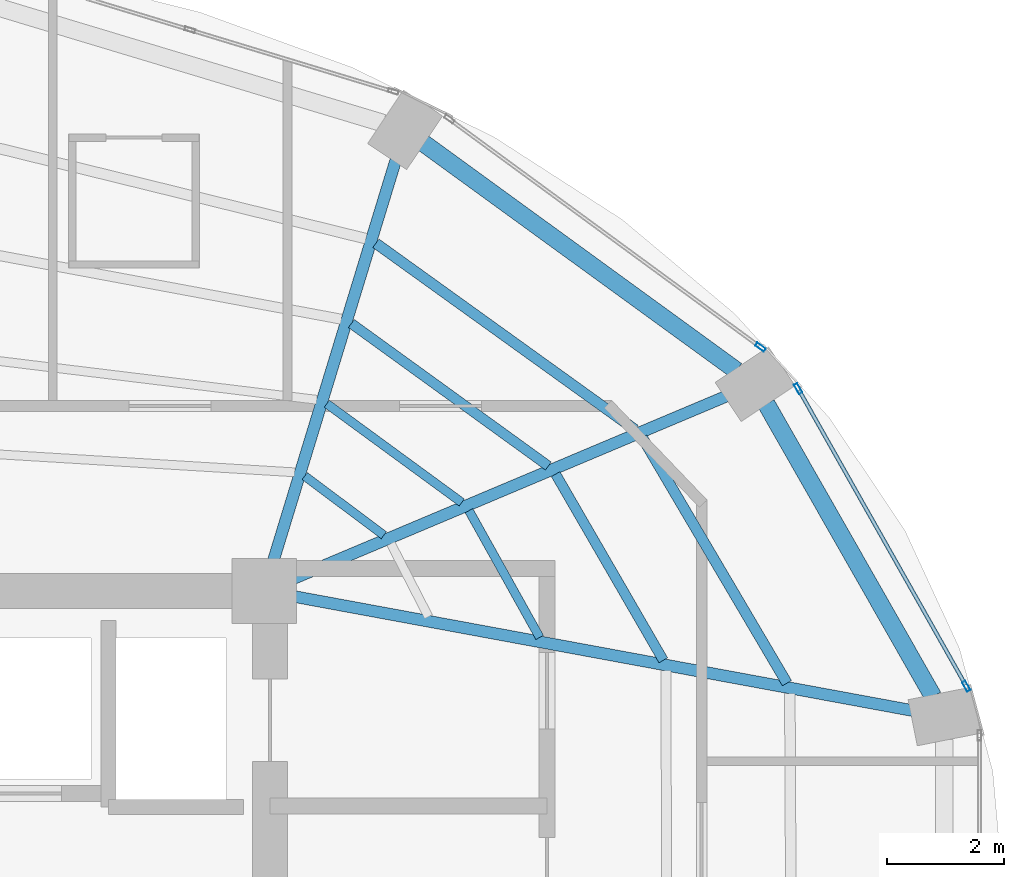
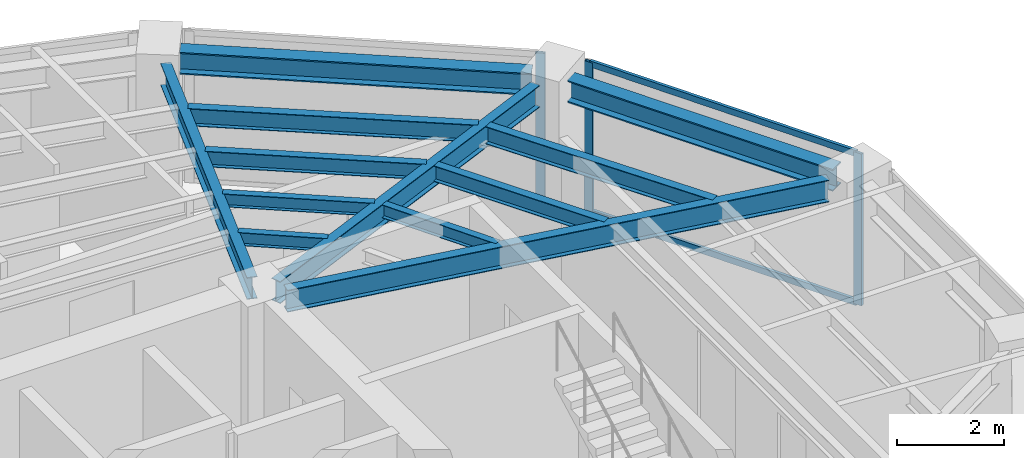
# One storey, part 15 of 23: 12 beams, 5 members, 2 elements without a shape of their own.
"""IFC4 building model written with IfcOpenShell, lengths in metres."""

from ifc_helpers import new_model, si_unit, direction, frame, origin, origin_2d, place, context, subcontext, project, spatial, hollow_rectangle, i_section, extrude, material, layer, layer_set, material_profile, profile_set, type_object, element, aggregate, save


model = new_model("IFC4")

# Units and contexts
model_context = context("Model", 3, precision=1e-05, world=origin(), true_north=direction((0.0, 1.0)))
body_context = subcontext(model_context, "Body", "Model", "MODEL_VIEW")
ifc_project = project(units=[si_unit("LENGTHUNIT", "METRE"), si_unit("AREAUNIT", "SQUARE_METRE"), si_unit("VOLUMEUNIT", "CUBIC_METRE"), si_unit("PLANEANGLEUNIT", "RADIAN"), si_unit("MASSUNIT", "GRAM", prefix="KILO")], contexts=[model_context])

# Site, building, storey
site_placement = place(None, origin())
site = spatial("IfcSite", under=ifc_project, at=site_placement, CompositionType="ELEMENT")
building_placement = place(site_placement, origin())
building = spatial("IfcBuilding", under=site, at=building_placement, Name="Lazwardi Medical Tower", CompositionType="ELEMENT")
storey_placement = place(building_placement, frame((0.0, 0.0, 202.1279296875)))
storey = spatial("IfcBuildingStorey", under=building, at=storey_placement, Name="L52", CompositionType="ELEMENT", Elevation=202.1279296875)

# Beams
ifc_material_1 = material(Name="Steel S355", Category="steel")
ifc_material_profile_1 = material_profile(ifc_material_1, i_section(OverallWidth=0.300048828125, OverallDepth=0.5, WebThickness=0.014404296875, FlangeThickness=0.028076171875, at=origin_2d()), Name="HEB 500")
ifc_profile_set_1 = profile_set([ifc_material_profile_1], Name="Steel S355")
beam_type_1 = type_object("IfcBeamType", Name="BM-RB-Z4", PredefinedType="BEAM", material=ifc_profile_set_1)
beam_1_placement = place(storey_placement, frame((56.991943359375, 33.8017578125, 3.197998046875), z_axis=(-0.495125273299, 0.868821594886, 0.0), x_axis=(-0.868821594886, -0.495125273299, 0.0)))
element("IfcBeam", 1, at=beam_1_placement, inside=storey, type_object=beam_type_1, Name="Ring beam RB-05 B05 L52", PredefinedType="BEAM", context=body_context, shape_type="SweptSolid", body=[
    extrude(i_section(OverallWidth=0.300048828125, OverallDepth=0.5, WebThickness=0.014404296875, FlangeThickness=0.028076171875, at=origin_2d()), origin(), (0.0, 0.0, 1.0), 5.734130859375),
])
beam_2_placement = place(storey_placement, frame((53.644287109375, 39.351806640625, 3.197998046875), z_axis=(-0.808889916254, 0.587960120571, 0.0), x_axis=(-0.587960120571, -0.808889916254, 0.0)))
element("IfcBeam", 2, at=beam_2_placement, inside=storey, type_object=beam_type_1, Name="Ring beam RB-05 B06 L52", PredefinedType="BEAM", context=body_context, shape_type="SweptSolid", body=[
    extrude(i_section(OverallWidth=0.300048828125, OverallDepth=0.5, WebThickness=0.014404296875, FlangeThickness=0.028076171875, at=origin_2d()), origin(), (0.0, 0.0, 1.0), 6.587158203125),
])
ifc_material_profile_2 = material_profile(ifc_material_1, i_section(OverallWidth=0.199951171875, OverallDepth=0.5, WebThickness=0.01025390625, FlangeThickness=0.01611328125, at=origin_2d()), Name="IPE 500")
ifc_profile_set_2 = profile_set([ifc_material_profile_2], Name="Steel S355")
beam_type_2 = type_object("IfcBeamType", Name="BM-RG-W3", PredefinedType="BEAM", material=ifc_profile_set_2)
beam_3_placement = place(storey_placement, frame((56.658935546875, 33.56005859375, 3.197998046875), z_axis=(-0.983409341459, 0.181400295288, 0.0), x_axis=(-0.181400295288, -0.983409341459, 0.0)))
element("IfcBeam", 3, at=beam_3_placement, inside=storey, type_object=beam_type_2, Name="Radial girder RG-04 R05 L52", PredefinedType="BEAM", context=body_context, shape_type="SweptSolid", body=[
    extrude(i_section(OverallWidth=0.199951171875, OverallDepth=0.5, WebThickness=0.01025390625, FlangeThickness=0.01611328125, at=origin_2d()), origin(), (0.0, 0.0, 1.0), 10.71044921875),
])
beam_4_placement = place(storey_placement, frame((53.466796875, 38.914794921875, 3.197998046875), z_axis=(-0.921526791352, -0.388314785735, 0.0), x_axis=(0.388314785735, -0.921526791352, 0.0)))
element("IfcBeam", 4, at=beam_4_placement, inside=storey, type_object=beam_type_2, Name="Radial girder RG-04 R06 L52", PredefinedType="BEAM", context=body_context, shape_type="SweptSolid", body=[
    extrude(i_section(OverallWidth=0.199951171875, OverallDepth=0.5, WebThickness=0.01025390625, FlangeThickness=0.01611328125, at=origin_2d()), origin(), (0.0, 0.0, 1.0), 8.001708984375),
])
beam_5_placement = place(storey_placement, frame((47.843994140625, 42.9423828125, 3.197998046875), z_axis=(-0.292276716539, -0.956333791607, 0.0), x_axis=(0.956333791607, -0.292276716539, 0.0)))
element("IfcBeam", 5, at=beam_5_placement, inside=storey, type_object=beam_type_2, Name="Radial girder RG-04 R07 L52", PredefinedType="BEAM", context=body_context, shape_type="SweptSolid", body=[
    extrude(i_section(OverallWidth=0.199951171875, OverallDepth=0.5, WebThickness=0.01025390625, FlangeThickness=0.01611328125, at=origin_2d()), origin(), (0.0, 0.0, 1.0), 7.142822265625),
])
ifc_material_profile_3 = material_profile(ifc_material_1, i_section(OverallWidth=0.179931640625, OverallDepth=0.39990234375, WebThickness=0.008544921875, FlangeThickness=0.013427734375, at=origin_2d()), Name="IPE 400")
ifc_profile_set_3 = profile_set([ifc_material_profile_3], Name="Steel S355")
beam_type_3 = type_object("IfcBeamType", Name="BM-SJ-01", PredefinedType="JOIST", material=ifc_profile_set_3)
beam_6_placement = place(storey_placement, frame((54.504150390625, 34.030517578125, 3.248046875), z_axis=(-0.507710311367, 0.861527851977, 0.0), x_axis=(-0.861527851977, -0.507710311367, 0.0)))
element("IfcBeam", 6, at=beam_6_placement, inside=storey, type_object=beam_type_3, Name="Secondary joist SJ-01 R1 B05 L52", PredefinedType="JOIST", context=body_context, shape_type="SweptSolid", body=[
    extrude(i_section(OverallWidth=0.179931640625, OverallDepth=0.39990234375, WebThickness=0.008544921875, FlangeThickness=0.013427734375, at=origin_2d()), origin(), (0.0, 0.0, 1.0), 4.852783203125),
])
beam_7_placement = place(storey_placement, frame((51.914794921875, 38.348876953125, 3.248046875), z_axis=(-0.811889581337, 0.58381102055, 0.0), x_axis=(-0.58381102055, -0.811889581337, 0.0)))
element("IfcBeam", 7, at=beam_7_placement, inside=storey, type_object=beam_type_3, Name="Secondary joist SJ-01 R1 B06 L52", PredefinedType="JOIST", context=body_context, shape_type="SweptSolid", body=[
    extrude(i_section(OverallWidth=0.179931640625, OverallDepth=0.39990234375, WebThickness=0.008544921875, FlangeThickness=0.013427734375, at=origin_2d()), origin(), (0.0, 0.0, 1.0), 5.433349609375),
])
ifc_material_profile_4 = material_profile(ifc_material_1, i_section(OverallWidth=0.169921875, OverallDepth=0.360107421875, WebThickness=0.008056640625, FlangeThickness=0.0126953125, at=origin_2d()), Name="IPE 360")
ifc_profile_set_4 = profile_set([ifc_material_profile_4], Name="Steel S355")
beam_type_4 = type_object("IfcBeamType", Name="BM-SJ-02", PredefinedType="JOIST", material=ifc_profile_set_4)
beam_8_placement = place(storey_placement, frame((52.398193359375, 34.41943359375, 3.26806640625), z_axis=(-0.500655179543, 0.865646805109, 0.0), x_axis=(-0.865646805109, -0.500655179543, 0.0)))
element("IfcBeam", 8, at=beam_8_placement, inside=storey, type_object=beam_type_4, Name="Secondary joist SJ-02 R2 B05 L52", PredefinedType="JOIST", context=body_context, shape_type="SweptSolid", body=[
    extrude(i_section(OverallWidth=0.169921875, OverallDepth=0.360107421875, WebThickness=0.008056640625, FlangeThickness=0.0126953125, at=origin_2d()), origin(), (0.0, 0.0, 1.0), 3.662109375),
])
beam_9_placement = place(storey_placement, frame((50.440185546875, 37.7275390625, 3.26806640625), z_axis=(-0.810164229155, 0.586202969796, 0.0), x_axis=(-0.586202969796, -0.810164229155, 0.0)))
element("IfcBeam", 9, at=beam_9_placement, inside=storey, type_object=beam_type_4, Name="Secondary joist SJ-02 R2 B06 L52", PredefinedType="JOIST", context=body_context, shape_type="SweptSolid", body=[
    extrude(i_section(OverallWidth=0.169921875, OverallDepth=0.360107421875, WebThickness=0.008056640625, FlangeThickness=0.0126953125, at=origin_2d()), origin(), (0.0, 0.0, 1.0), 4.14013671875),
])
ifc_material_profile_5 = material_profile(ifc_material_1, i_section(OverallWidth=0.14990234375, OverallDepth=0.300048828125, WebThickness=0.007080078125, FlangeThickness=0.0107421875, at=origin_2d()), Name="IPE 300")
ifc_profile_set_5 = profile_set([ifc_material_profile_5], Name="Steel S355")
beam_type_5 = type_object("IfcBeamType", Name="BM-SJ-03", PredefinedType="JOIST", material=ifc_profile_set_5)
beam_10_placement = place(storey_placement, frame((50.29296875, 34.80859375, 3.298095703125), z_axis=(-0.487092942089, 0.873350139272, 0.0), x_axis=(-0.873350139272, -0.487092942089, 0.0)))
element("IfcBeam", 10, at=beam_10_placement, inside=storey, type_object=beam_type_5, Name="Secondary joist SJ-03 R3 B05 L52", PredefinedType="JOIST", context=body_context, shape_type="SweptSolid", body=[
    extrude(i_section(OverallWidth=0.14990234375, OverallDepth=0.300048828125, WebThickness=0.007080078125, FlangeThickness=0.0107421875, at=origin_2d()), origin(), (0.0, 0.0, 1.0), 2.471923828125),
])
beam_11_placement = place(storey_placement, frame((48.9658203125, 37.106689453125, 3.298095703125), z_axis=(-0.80703431267, 0.59050454543, 0.0), x_axis=(-0.59050454543, -0.80703431267, 0.0)))
element("IfcBeam", 11, at=beam_11_placement, inside=storey, type_object=beam_type_5, Name="Secondary joist SJ-03 R3 B06 L52", PredefinedType="JOIST", context=body_context, shape_type="SweptSolid", body=[
    extrude(i_section(OverallWidth=0.14990234375, OverallDepth=0.300048828125, WebThickness=0.007080078125, FlangeThickness=0.0107421875, at=origin_2d()), origin(), (0.0, 0.0, 1.0), 2.846923828125),
])
beam_12_placement = place(storey_placement, frame((47.63916015625, 36.548095703125, 3.298095703125), z_axis=(-0.800365301971, 0.599512621553, 0.0), x_axis=(-0.599512621553, -0.800365301971, 0.0)))
element("IfcBeam", 12, at=beam_12_placement, inside=storey, type_object=beam_type_5, Name="Secondary joist SJ-03 R4 B06 L52", PredefinedType="JOIST", context=body_context, shape_type="SweptSolid", body=[
    extrude(i_section(OverallWidth=0.14990234375, OverallDepth=0.300048828125, WebThickness=0.007080078125, FlangeThickness=0.0107421875, at=origin_2d()), origin(), (0.0, 0.0, 1.0), 1.68359375),
])

# Curtain wall, members
ifc_material_2 = material(Name="Anodised bronze aluminium and solar control glazing", Category="aluminium")
ifc_layer = layer(ifc_material_2, 0.18994140625)
ifc_layer_set = layer_set([ifc_layer], Name="Anodised bronze aluminium and solar control glazing")
curtain_wall_type = type_object("IfcCurtainWallType", Name="CW-SYS-04", PredefinedType="NOTDEFINED", material=ifc_layer_set)
curtain_wall_1_placement = place(storey_placement, origin())
curtain_wall_1 = element("IfcCurtainWall", 13, at=curtain_wall_1_placement, inside=storey, type_object=curtain_wall_type, Name="L52 Unitised bronze curtain wall CW-04", PredefinedType="NOTDEFINED")
ifc_material_3 = material(Name="Anodised bronze aluminium", Category="aluminium")
ifc_material_profile_6 = material_profile(ifc_material_3, hollow_rectangle(XDim=0.06494140625, YDim=0.179931640625, WallThickness=0.00390625, at=origin_2d()), Name="ALU-MULLION 180x65x4")
ifc_profile_set_6 = profile_set([ifc_material_profile_6], Name="Anodised bronze aluminium")
member_type_1 = type_object("IfcMemberType", Name="CW-MUL-03", PredefinedType="MULLION", material=ifc_profile_set_6)
member_1_placement = place(storey_placement, frame((57.557373046875, 33.978271484375, 0.0), z_axis=(0.0, 0.0, 1.0), x_axis=(-0.870651436011, -0.491900474661, 0.0)))
member_1 = element("IfcMember", 14, at=member_1_placement, type_object=member_type_1, Name="CW-04 mullion 1", PredefinedType="MULLION", context=body_context, shape_type="SweptSolid", body=[
    extrude(hollow_rectangle(XDim=0.06494140625, YDim=0.179931640625, WallThickness=0.00390625, at=origin_2d()), origin(), (0.0, 0.0, 1.0), 3.447998046875),
])
member_2_placement = place(storey_placement, frame((54.6943359375, 39.04541015625, 0.0), z_axis=(0.0, 0.0, 1.0), x_axis=(-0.870651436011, -0.491900474661, 0.0)))
member_2 = element("IfcMember", 15, at=member_2_placement, type_object=member_type_1, Name="CW-04 mullion 2", PredefinedType="MULLION", context=body_context, shape_type="SweptSolid", body=[
    extrude(hollow_rectangle(XDim=0.06494140625, YDim=0.179931640625, WallThickness=0.00390625, at=origin_2d()), origin(), (0.0, 0.0, 1.0), 3.447998046875),
])

# Curtain wall, member
curtain_wall_2_placement = place(storey_placement, origin())
curtain_wall_2 = element("IfcCurtainWall", 16, at=curtain_wall_2_placement, inside=storey, type_object=curtain_wall_type, Name="L52 Unitised bronze curtain wall CW-04", PredefinedType="NOTDEFINED")
member_3_placement = place(storey_placement, frame((54.052001953125, 39.751708984375, 0.0), z_axis=(0.0, 0.0, 1.0), x_axis=(-0.591268230971, -0.806474971121, 0.0)))
member_3 = element("IfcMember", 17, at=member_3_placement, type_object=member_type_1, Name="CW-04 mullion 1", PredefinedType="MULLION", context=body_context, shape_type="SweptSolid", body=[
    extrude(hollow_rectangle(XDim=0.06494140625, YDim=0.179931640625, WallThickness=0.00390625, at=origin_2d()), origin(), (0.0, 0.0, 1.0), 3.447998046875),
])
aggregate(curtain_wall_2, [member_3])

# Member
ifc_material_profile_7 = material_profile(ifc_material_3, hollow_rectangle(XDim=0.06494140625, YDim=0.139892578125, WallThickness=0.00341796875, at=origin_2d()), Name="ALU-TRANSOM 140x65x3.5")
ifc_profile_set_7 = profile_set([ifc_material_profile_7], Name="Anodised bronze aluminium")
member_type_2 = type_object("IfcMemberType", Name="CW-TRN-03", PredefinedType="USERDEFINED", material=ifc_profile_set_7)
member_4_placement = place(storey_placement, frame((57.541259765625, 34.006591796875, 0.032470703125), z_axis=(-0.491897887635, 0.870652897623, 0.0), x_axis=(-0.870652897623, -0.491897887635, 0.0)))
member_4 = element("IfcMember", 18, at=member_4_placement, type_object=member_type_2, Name="CW-04 transom 1.1", ObjectType="TRANSOM", PredefinedType="USERDEFINED", context=body_context, shape_type="SweptSolid", body=[
    extrude(hollow_rectangle(XDim=0.06494140625, YDim=0.139892578125, WallThickness=0.00341796875, at=origin_2d()), origin(), (0.0, 0.0, 1.0), 5.7548828125),
])

member_5_placement = place(storey_placement, frame((57.541259765625, 34.006591796875, 3.41552734375), z_axis=(-0.491897887635, 0.870652897623, 0.0), x_axis=(-0.870652897623, -0.491897887635, 0.0)))
member_5 = element("IfcMember", 19, at=member_5_placement, type_object=member_type_2, Name="CW-04 transom 1.2", ObjectType="TRANSOM", PredefinedType="USERDEFINED", context=body_context, shape_type="SweptSolid", body=[
    extrude(hollow_rectangle(XDim=0.06494140625, YDim=0.139892578125, WallThickness=0.00341796875, at=origin_2d()), origin(), (0.0, 0.0, 1.0), 5.7548828125),
])

aggregate(curtain_wall_1, [member_1, member_2, member_4, member_5])

save(model, "model.ifc")
